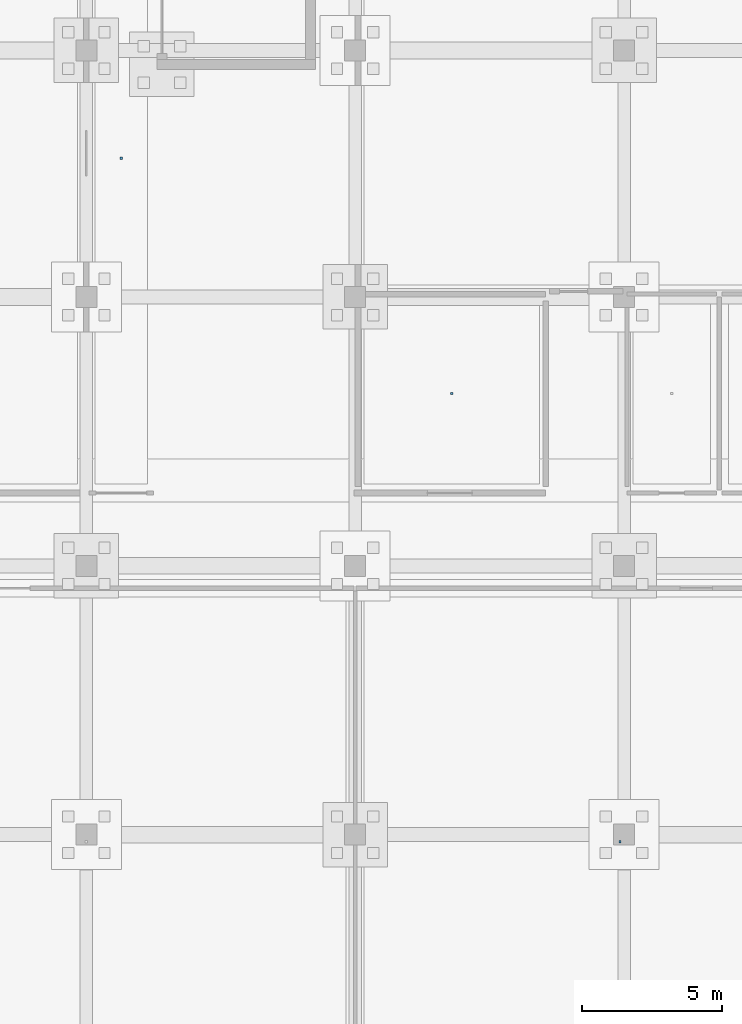
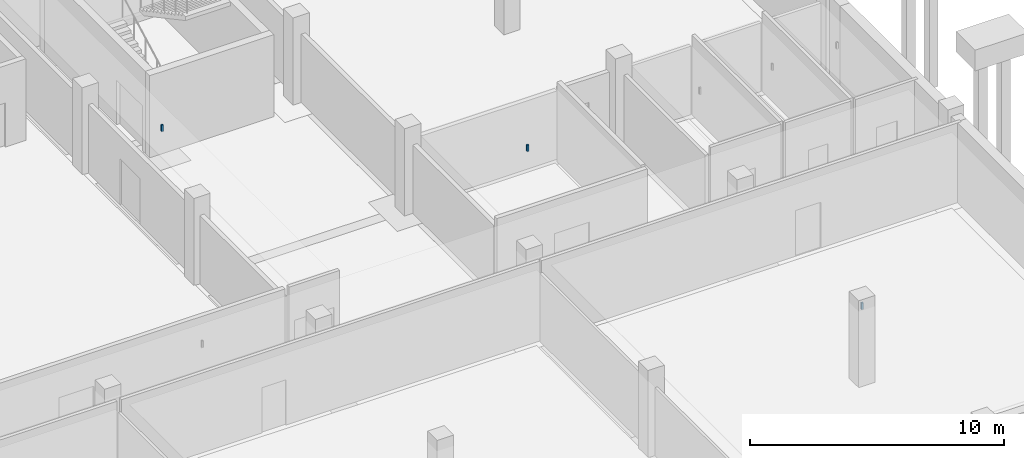
# One storey, part 27 of 31: 3 discrete accessories.
"""IFC4 building model written with IfcOpenShell, lengths in metres."""

from ifc_helpers import new_model, si_unit, direction, frame, origin, origin_2d, place, context, subcontext, project, spatial, rectangle, extrude, material, type_object, element, save


model = new_model("IFC4")

# Units and contexts
model_context = context("Model", 3, precision=1e-05, world=origin(), true_north=direction((0.0, 1.0)))
body_context = subcontext(model_context, "Body", "Model", "MODEL_VIEW")
ifc_project = project(units=[si_unit("LENGTHUNIT", "METRE"), si_unit("AREAUNIT", "SQUARE_METRE"), si_unit("VOLUMEUNIT", "CUBIC_METRE"), si_unit("PLANEANGLEUNIT", "RADIAN"), si_unit("MASSUNIT", "GRAM", prefix="KILO")], contexts=[model_context])

# Site, building, storey
site_placement = place(None, origin())
site = spatial("IfcSite", under=ifc_project, at=site_placement, CompositionType="ELEMENT")
building_placement = place(site_placement, origin())
building = spatial("IfcBuilding", under=site, at=building_placement, Name="Chalmorin Arch Market", CompositionType="ELEMENT")
storey_placement = place(building_placement, frame((0.0, 0.0, -4.199951171875)))
storey = spatial("IfcBuildingStorey", under=building, at=storey_placement, Name="B1", CompositionType="ELEMENT", Elevation=-4.199951171875)

# Discrete accessories
ifc_material = material(Name="Galvanized Cold-Formed Steel", Category="steel")
discrete_accessory_type = type_object("IfcDiscreteAccessoryType", Name="CeilingSuspensionBracket-80x80", PredefinedType="BRACKET", material=ifc_material)
for number, where, z_axis, x_axis, name in (
    (1, (105.449951171875, 81.35009765625, 3.653076171875), (0.0, 0.0, 1.0), (1.0, 0.0, 0.0), "CSB-024"),
    (2, (87.64990234375, 105.75, 3.653076171875), (0.0, 0.0, 1.0), (1.0, 0.0, 0.0), "CSB-028"),
    (3, (99.449951171875, 97.35009765625, 3.653076171875), (0.0, 0.0, 1.0), (1.0, 0.0, 0.0), "CSB-033"),
):
    element("IfcDiscreteAccessory", number, at=place(storey_placement, frame(where, z_axis=z_axis, x_axis=x_axis)), inside=storey, type_object=discrete_accessory_type, Name=name, PredefinedType="BRACKET", context=body_context, shape_type="SweptSolid", body=[
        extrude(rectangle(XDim=0.080078125, YDim=0.080078125, at=origin_2d()), origin(), (0.0, 0.0, 1.0), 0.31689453125),
    ])

save(model, "model.ifc")
